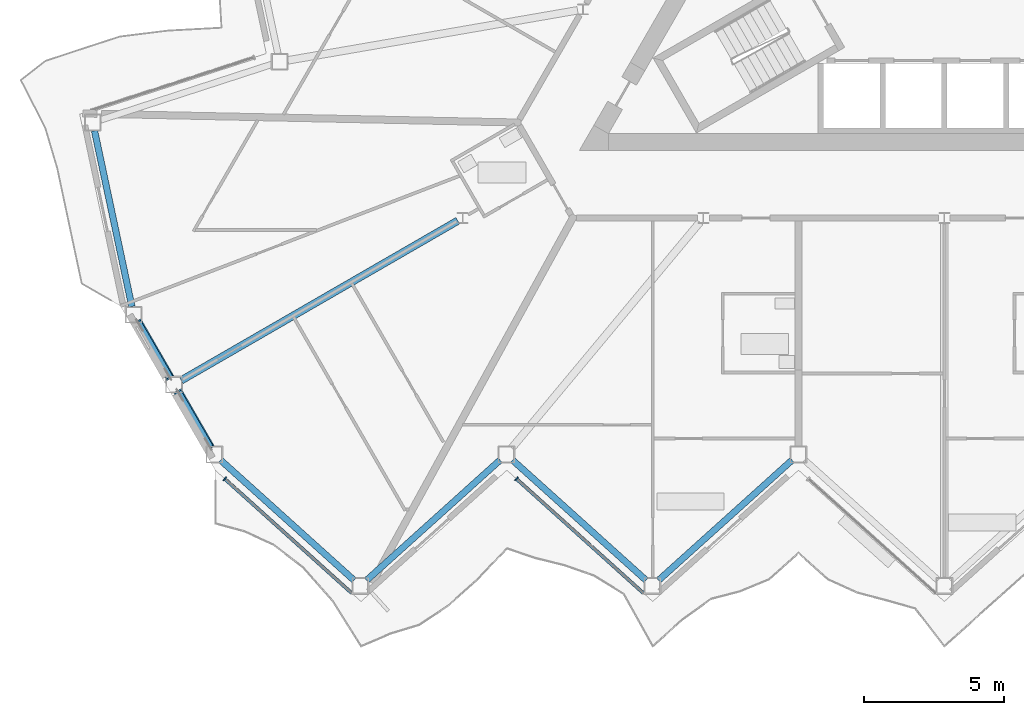
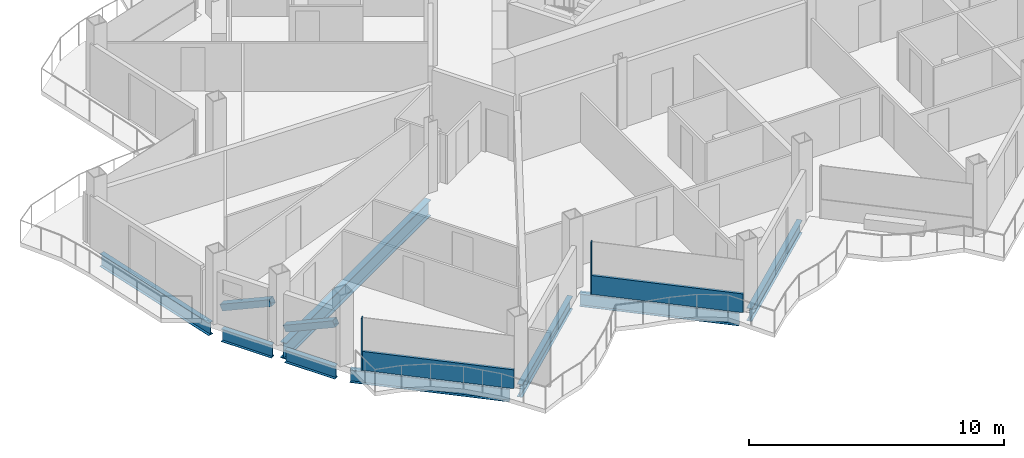
# One storey, part 4 of 27: 8 beams, 6 members, 2 elements without a shape of their own.
"""IFC4 building model written with IfcOpenShell, lengths in metres."""

from ifc_helpers import new_model, si_unit, direction, frame, origin, origin_2d, place, context, subcontext, project, spatial, rectangle, hollow_rectangle, i_section, extrude, material, layer, layer_set, material_profile, profile_set, type_object, element, aggregate, save


model = new_model("IFC4")

# Units and contexts
model_context = context("Model", 3, precision=1e-05, world=origin(), true_north=direction((0.0, 1.0)))
body_context = subcontext(model_context, "Body", "Model", "MODEL_VIEW")
ifc_project = project(units=[si_unit("LENGTHUNIT", "METRE"), si_unit("AREAUNIT", "SQUARE_METRE"), si_unit("VOLUMEUNIT", "CUBIC_METRE"), si_unit("PLANEANGLEUNIT", "RADIAN"), si_unit("MASSUNIT", "GRAM", prefix="KILO")], contexts=[model_context])

# Site, building, storey
site_placement = place(None, origin())
site = spatial("IfcSite", under=ifc_project, at=site_placement, CompositionType="ELEMENT")
building_placement = place(site_placement, origin())
building = spatial("IfcBuilding", under=site, at=building_placement, Name="Cormorant Prow Tower", CompositionType="ELEMENT")
storey_placement = place(building_placement, frame((0.0, 0.0, 312.0)))
storey = spatial("IfcBuildingStorey", under=building, at=storey_placement, Name="L68", CompositionType="ELEMENT", Elevation=312.0)

# Members
ifc_material_1 = material(Name="Structural steel ASTM A500 Gr C", Category="steel")
ifc_material_profile_1 = material_profile(ifc_material_1, hollow_rectangle(XDim=0.3046875, YDim=0.3046875, WallThickness=0.01171875, at=origin_2d()), Name="HSS12x12x1/2")
ifc_profile_set_1 = profile_set([ifc_material_profile_1], Name="Structural steel ASTM A500 Gr C")
member_type_1 = type_object("IfcMemberType", Name="Chamfer brace HSS12x12x1/2", PredefinedType="BRACE", material=ifc_profile_set_1)
for number, where, z_axis, x_axis, name in (
    (1, (-28.711669921875, -13.621826171875, 0.7412109375), (0.456265706889, -0.790324476185, 0.408911759503), (0.866038851724, 0.499976706761, 0.0), "Chamfer brace BR3 at WSW00 L68"),
    (2, (-27.27490234375, -16.110595703125, 0.7412109375), (0.456265706889, -0.790324476185, 0.408911759503), (0.866038851724, 0.499976706761, 0.0), "Chamfer brace BR3 at WSW01 L68"),
):
    element("IfcMember", number, at=place(storey_placement, frame(where, z_axis=z_axis, x_axis=x_axis)), inside=storey, type_object=member_type_1, Name=name, PredefinedType="BRACE", context=body_context, shape_type="SweptSolid", body=[
        extrude(hollow_rectangle(XDim=0.3046875, YDim=0.3046875, WallThickness=0.01171875, at=origin_2d()), origin(), (0.0, 0.0, 1.0), 2.459228515625),
    ])

# Beam
ifc_material_2 = material(Name="Structural steel ASTM A992 Gr 50", Category="steel")
ifc_material_profile_2 = material_profile(ifc_material_2, i_section(OverallWidth=0.267822265625, OverallDepth=0.77001953125, WebThickness=0.015625, FlangeThickness=0.025390625, at=origin_2d()), Name="W30x132")
ifc_profile_set_2 = profile_set([ifc_material_profile_2], Name="Structural steel ASTM A992 Gr 50")
beam_type_1 = type_object("IfcBeamType", Name="Radial floor beam W30x132", PredefinedType="BEAM", material=ifc_profile_set_2)
beam_1_placement = place(storey_placement, frame((-17.328125, -10.00439453125, -0.68505859375), z_axis=(-0.866024637028, -0.500001328059, 0.0), x_axis=(0.500001328059, -0.866024637028, 0.0)))
element("IfcBeam", 3, at=beam_1_placement, inside=storey, type_object=beam_type_1, Name="Radial floor beam FB3 5 L68", PredefinedType="BEAM", context=body_context, shape_type="SweptSolid", body=[
    extrude(i_section(OverallWidth=0.267822265625, OverallDepth=0.77001953125, WebThickness=0.015625, FlangeThickness=0.025390625, at=origin_2d()), origin(), (0.0, 0.0, 1.0), 11.3671875),
])

# Curtain wall, member
ifc_material_3 = material(Name="Aluminium 6063-T6", Category="aluminium")
ifc_layer = layer(ifc_material_3, 0.159912109375)
ifc_layer_set = layer_set([ifc_layer], Name="Aluminium 6063-T6")
curtain_wall_type = type_object("IfcCurtainWallType", Name="Residential unitised curtain wall 160", PredefinedType="NOTDEFINED", material=ifc_layer_set)
curtain_wall_1_placement = place(storey_placement, origin())
curtain_wall_1 = element("IfcCurtainWall", 4, at=curtain_wall_1_placement, inside=storey, type_object=curtain_wall_type, Name="Residential curtain wall S00", PredefinedType="NOTDEFINED")
ifc_material_4 = material(Name="Aluminium 6063-T6", Category="aluminium")
ifc_material_profile_3 = material_profile(ifc_material_4, rectangle(XDim=0.159912109375, YDim=0.050048828125, at=origin_2d()), Name="Residential mullion 50x160")
ifc_profile_set_3 = profile_set([ifc_material_profile_3], Name="Aluminium 6063-T6")
member_type_2 = type_object("IfcMemberType", Name="Residential mullion 50x160", PredefinedType="MULLION", material=ifc_profile_set_3)
member_1_placement = place(storey_placement, frame((-25.623046875, -19.193603515625, 0.0), z_axis=(0.0, 0.0, 1.0), x_axis=(0.669130619757, 0.743144813413, 0.0)))
member_1 = element("IfcMember", 5, at=member_1_placement, type_object=member_type_2, Name="Residential mullion S00", PredefinedType="MULLION", context=body_context, shape_type="SweptSolid", body=[
    extrude(rectangle(XDim=0.159912109375, YDim=0.050048828125, at=origin_2d()), origin(), (0.0, 0.0, 1.0), 2.48779296875),
])

curtain_wall_2_placement = place(storey_placement, origin())
curtain_wall_2 = element("IfcCurtainWall", 6, at=curtain_wall_2_placement, inside=storey, type_object=curtain_wall_type, Name="Residential curtain wall S02", PredefinedType="NOTDEFINED")
member_2_placement = place(storey_placement, frame((-15.2373046875, -19.193603515625, 0.0), z_axis=(0.0, 0.0, 1.0), x_axis=(0.669130619757, 0.743144813413, 0.0)))
member_2 = element("IfcMember", 7, at=member_2_placement, type_object=member_type_2, Name="Residential mullion S02", PredefinedType="MULLION", context=body_context, shape_type="SweptSolid", body=[
    extrude(rectangle(XDim=0.159912109375, YDim=0.050048828125, at=origin_2d()), origin(), (0.0, 0.0, 1.0), 2.48779296875),
])

# Member
ifc_material_5 = material(Name="Terracotta", Category="masonry")
ifc_material_profile_4 = material_profile(ifc_material_5, rectangle(XDim=0.1201171875, YDim=0.89990234375, at=origin_2d()), Name="Residential terracotta spandrel rail 120x900")
ifc_profile_set_4 = profile_set([ifc_material_profile_4], Name="Terracotta")
member_type_3 = type_object("IfcMemberType", Name="Residential terracotta spandrel rail 120x900", PredefinedType="USERDEFINED", material=ifc_profile_set_4)
member_3_placement = place(storey_placement, frame((-25.6044921875, -19.21044921875, 0.449951171875), z_axis=(0.743162128872, -0.669111388492, 0.0), x_axis=(0.669111388492, 0.743162128872, 0.0)))
member_3 = element("IfcMember", 8, at=member_3_placement, type_object=member_type_3, Name="Residential spandrel rail S00", ObjectType="TRANSOM", PredefinedType="USERDEFINED", context=body_context, shape_type="SweptSolid", body=[
    extrude(rectangle(XDim=0.1201171875, YDim=0.89990234375, at=origin_2d()), origin(), (0.0, 0.0, 1.0), 6.069580078125),
])

aggregate(curtain_wall_1, [member_1, member_3])

member_4_placement = place(storey_placement, frame((-15.21875, -19.21044921875, 0.449951171875), z_axis=(0.743144119775, -0.66913139012, 0.0), x_axis=(0.66913139012, 0.743144119775, 0.0)))
member_4 = element("IfcMember", 9, at=member_4_placement, type_object=member_type_3, Name="Residential spandrel rail S02", ObjectType="TRANSOM", PredefinedType="USERDEFINED", context=body_context, shape_type="SweptSolid", body=[
    extrude(rectangle(XDim=0.1201171875, YDim=0.89990234375, at=origin_2d()), origin(), (0.0, 0.0, 1.0), 6.069580078125),
])

aggregate(curtain_wall_2, [member_2, member_4])

# Beams
ifc_material_6 = material(Name="Structural steel ASTM A992 Gr 50", Category="steel")
ifc_material_profile_5 = material_profile(ifc_material_6, i_section(OverallWidth=0.22900390625, OverallDepth=0.612060546875, WebThickness=0.011962890625, FlangeThickness=0.01953125, at=origin_2d()), Name="W24x84")
ifc_profile_set_5 = profile_set([ifc_material_profile_5], Name="Structural steel ASTM A992 Gr 50")
beam_type_2 = type_object("IfcBeamType", Name="Spandrel beam W24x84", PredefinedType="SPANDREL", material=ifc_profile_set_5)
beam_2_placement = place(storey_placement, frame((-25.7724609375, -18.527587890625, -0.60595703125), z_axis=(0.743144186555, -0.669131315954, 0.0), x_axis=(0.669131315954, 0.743144186555, 0.0)))
element("IfcBeam", 10, at=beam_2_placement, inside=storey, type_object=beam_type_2, Name="Spandrel beam SB3 S00-S01 L68", PredefinedType="SPANDREL", context=body_context, shape_type="SweptSolid", body=[
    extrude(i_section(OverallWidth=0.22900390625, OverallDepth=0.612060546875, WebThickness=0.011962890625, FlangeThickness=0.01953125, at=origin_2d()), origin(), (0.0, 0.0, 1.0), 6.39599609375),
])
beam_3_placement = place(storey_placement, frame((-20.573486328125, -22.807373046875, -0.60595703125), z_axis=(0.743161276225, 0.669112335502, 0.0), x_axis=(-0.669112335502, 0.743161276225, 0.0)))
element("IfcBeam", 11, at=beam_3_placement, inside=storey, type_object=beam_type_2, Name="Spandrel beam SB3 S01-S02 L68", PredefinedType="SPANDREL", context=body_context, shape_type="SweptSolid", body=[
    extrude(i_section(OverallWidth=0.22900390625, OverallDepth=0.612060546875, WebThickness=0.011962890625, FlangeThickness=0.01953125, at=origin_2d()), origin(), (0.0, 0.0, 1.0), 6.396240234375),
])
for number, where, z_axis, x_axis, name in (
    (12, (-15.374267578125, -18.527587890625, -0.60595703125), (0.743144186555, -0.669131315954, 0.0), (0.669131315954, 0.743144186555, 0.0), "Spandrel beam SB3 S02-S03 L68"),
    (13, (-10.17529296875, -22.807373046875, -0.60595703125), (0.743144186555, 0.669131315954, 0.0), (-0.669131315954, 0.743144186555, 0.0), "Spandrel beam SB3 S03-S04 L68"),
):
    element("IfcBeam", number, at=place(storey_placement, frame(where, z_axis=z_axis, x_axis=x_axis)), inside=storey, type_object=beam_type_2, Name=name, PredefinedType="SPANDREL", context=body_context, shape_type="SweptSolid", body=[
        extrude(i_section(OverallWidth=0.22900390625, OverallDepth=0.612060546875, WebThickness=0.011962890625, FlangeThickness=0.01953125, at=origin_2d()), origin(), (0.0, 0.0, 1.0), 6.39599609375),
    ])
beam_4_placement = place(storey_placement, frame((-30.261474609375, -6.799560546875, -0.60595703125), z_axis=(0.20791262393, -0.978147402394, 0.0), x_axis=(0.978147402394, 0.20791262393, 0.0)))
element("IfcBeam", 14, at=beam_4_placement, inside=storey, type_object=beam_type_2, Name="Spandrel beam SB3 WNW09-WSW00 L68", PredefinedType="SPANDREL", context=body_context, shape_type="SweptSolid", body=[
    extrude(i_section(OverallWidth=0.22900390625, OverallDepth=0.612060546875, WebThickness=0.011962890625, FlangeThickness=0.01953125, at=origin_2d()), origin(), (0.0, 0.0, 1.0), 6.396240234375),
])
beam_5_placement = place(storey_placement, frame((-28.71923828125, -13.609130859375, -0.60595703125), z_axis=(0.500053962254, -0.865994246421, 0.0), x_axis=(0.865994246421, 0.500053962254, 0.0)))
element("IfcBeam", 15, at=beam_5_placement, inside=storey, type_object=beam_type_2, Name="Spandrel beam SB3 WSW00-WSW01 L68", PredefinedType="SPANDREL", context=body_context, shape_type="SweptSolid", body=[
    extrude(i_section(OverallWidth=0.22900390625, OverallDepth=0.612060546875, WebThickness=0.011962890625, FlangeThickness=0.01953125, at=origin_2d()), origin(), (0.0, 0.0, 1.0), 2.273681640625),
])
beam_6_placement = place(storey_placement, frame((-27.2822265625, -16.097900390625, -0.60595703125), z_axis=(0.49997342893, -0.866040744055, 0.0), x_axis=(0.866040744055, 0.49997342893, 0.0)))
element("IfcBeam", 16, at=beam_6_placement, inside=storey, type_object=beam_type_2, Name="Spandrel beam SB3 WSW01-S00 L68", PredefinedType="SPANDREL", context=body_context, shape_type="SweptSolid", body=[
    extrude(i_section(OverallWidth=0.22900390625, OverallDepth=0.612060546875, WebThickness=0.011962890625, FlangeThickness=0.01953125, at=origin_2d()), origin(), (0.0, 0.0, 1.0), 2.2734375),
])

save(model, "model.ifc")
